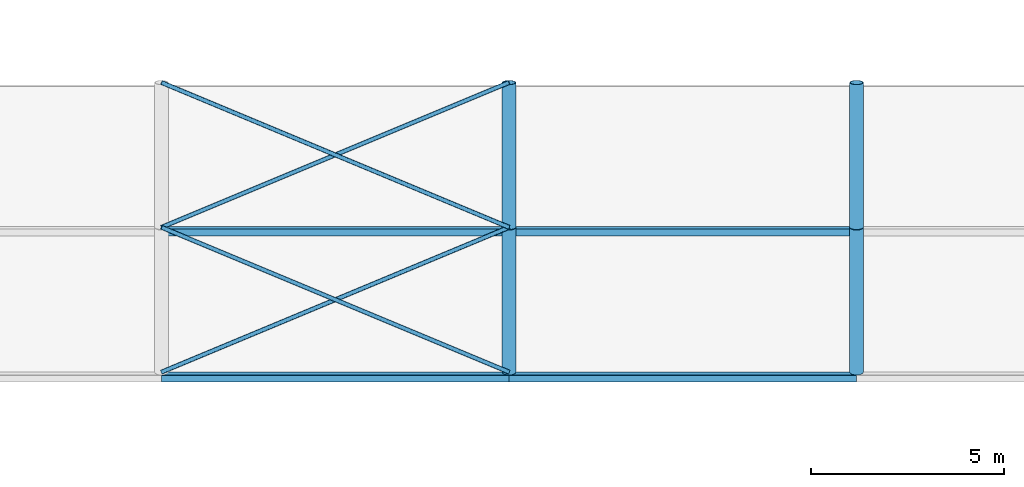
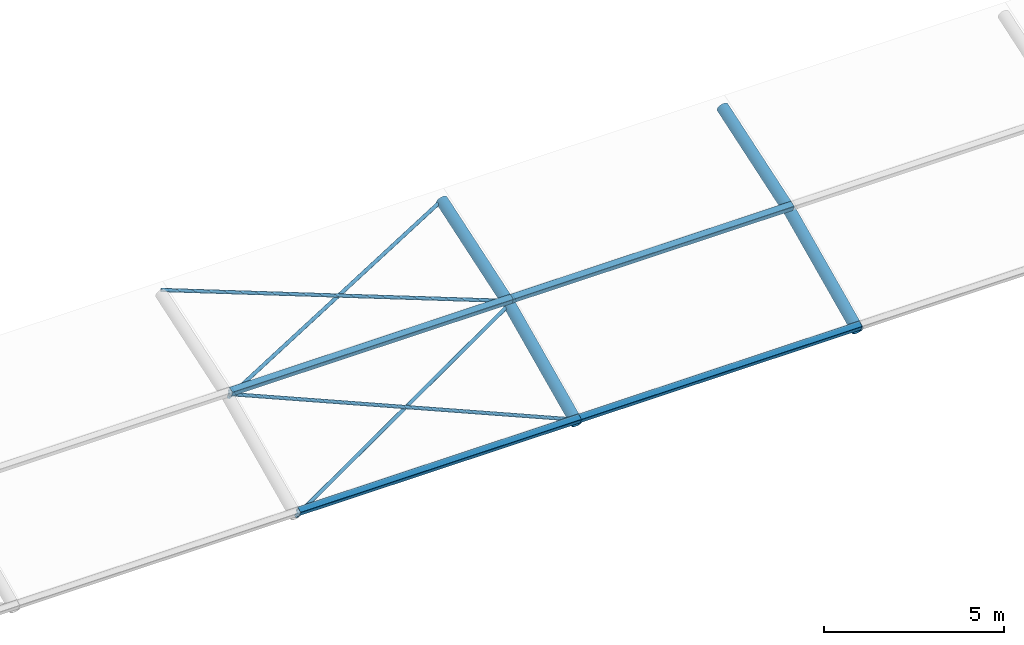
# One storey, part 5 of 54: 12 members.
"""IFC4 building model written with IfcOpenShell, lengths in metres."""

from ifc_helpers import new_model, si_unit, direction, frame, origin, origin_2d, place, context, subcontext, project, spatial, hollow_rectangle, hollow_circle, extrude, material, material_profile, profile_set, type_object, element, save


model = new_model("IFC4")

# Units and contexts
model_context = context("Model", 3, precision=1e-05, world=origin(), true_north=direction((0.0, 1.0)))
body_context = subcontext(model_context, "Body", "Model", "MODEL_VIEW")
ifc_project = project(units=[si_unit("LENGTHUNIT", "METRE"), si_unit("AREAUNIT", "SQUARE_METRE"), si_unit("VOLUMEUNIT", "CUBIC_METRE"), si_unit("PLANEANGLEUNIT", "RADIAN"), si_unit("MASSUNIT", "GRAM", prefix="KILO")], contexts=[model_context])

# Site, building, storey
site_placement = place(None, origin())
site = spatial("IfcSite", under=ifc_project, at=site_placement, CompositionType="ELEMENT")
building_placement = place(site_placement, origin())
building = spatial("IfcBuilding", under=site, at=building_placement, Name="Baradari Gate Terminus", CompositionType="ELEMENT")
storey_placement = place(building_placement, frame((0.0, 0.0, 15.89990234375)))
storey = spatial("IfcBuildingStorey", under=building, at=storey_placement, Name="L03", CompositionType="ELEMENT", Elevation=15.89990234375)

# Members
ifc_material_1 = material(Name="Steel S355", Category="steel")
ifc_material_profile_1 = material_profile(ifc_material_1, hollow_rectangle(XDim=0.199951171875, YDim=0.199951171875, WallThickness=0.008056640625, InnerFilletRadius=0.008056640625, OuterFilletRadius=0.01611328125, at=origin_2d()), Name="SHS 200x200x8")
ifc_profile_set_1 = profile_set([ifc_material_profile_1], Name="Steel S355")
member_type_1 = type_object("IfcMemberType", Name="Shed purlin SHS 200x200x8", PredefinedType="PURLIN", material=ifc_profile_set_1)
for number, where, z_axis, x_axis, name in (
    (1, (117.0, 43.375244140625, 1.17138671875), (1.0, 0.0, 0.0), (0.0, 0.883026855482, 0.469322461106), "TR/L03/B126-PU02"),
    (2, (117.0, 47.151611328125, 2.93359375), (1.0, 0.0, 0.0), (0.0, 0.928965199535, 0.370167067759), "TR/L03/B126-PU03"),
    (3, (126.0, 43.375244140625, 1.17138671875), (1.0, 0.0, 0.0), (0.0, 0.883026855482, 0.469322461106), "TR/L03/B135-PU02"),
    (4, (126.0, 47.151611328125, 2.93359375), (1.0, 0.0, 0.0), (0.0, 0.928965199535, 0.370167067759), "TR/L03/B135-PU03"),
):
    element("IfcMember", number, at=place(storey_placement, frame(where, z_axis=z_axis, x_axis=x_axis)), inside=storey, type_object=member_type_1, Name=name, PredefinedType="PURLIN", context=body_context, shape_type="SweptSolid", body=[
        extrude(hollow_rectangle(XDim=0.199951171875, YDim=0.199951171875, WallThickness=0.008056640625, InnerFilletRadius=0.008056640625, OuterFilletRadius=0.01611328125, at=origin_2d()), origin(), (0.0, 0.0, 1.0), 9.0),
    ])
ifc_material_2 = material(Name="Steel S355", Category="steel")
ifc_material_profile_2 = material_profile(ifc_material_2, hollow_circle(Radius=0.05712890625, WallThickness=0.00634765625, at=origin_2d()), Name="CHS 114.3x6.3")
ifc_profile_set_2 = profile_set([ifc_material_profile_2], Name="Steel S355")
member_type_2 = type_object("IfcMemberType", Name="Shed roof brace CHS 114.3x6.3", PredefinedType="BRACE", material=ifc_profile_set_2)
for number, where, z_axis, x_axis, name in (
    (5, (117.0, 43.5, 0.9365234375), (0.908558037225, 0.378565848844, 0.176664062794), (-0.384615384615, 0.923076923077, 0.0), "TR/L03/B126-RB02A"),
    (6, (126.0, 43.5, 1.05078125), (-0.908558037225, 0.378565848844, 0.176664062794), (-0.384615384615, -0.923076923077, 0.0), "TR/L03/B126-RB02B"),
):
    element("IfcMember", number, at=place(storey_placement, frame(where, z_axis=z_axis, x_axis=x_axis)), inside=storey, type_object=member_type_2, Name=name, PredefinedType="BRACE", context=body_context, shape_type="SweptSolid", body=[
        extrude(hollow_circle(Radius=0.05712890625, WallThickness=0.00634765625, at=origin_2d()), origin(), (0.0, 0.0, 1.0), 9.90576171875),
    ])
for number, where, z_axis, x_axis, name in (
    (7, (117.0, 47.25, 2.6865234375), (0.915583075095, 0.381492947956, 0.127164315985), (-0.384615384615, 0.923076923077, 0.0), "TR/L03/B126-RB03A"),
    (8, (126.0, 47.25, 2.80078125), (-0.915583075095, 0.381492947956, 0.127164315985), (-0.384615384615, -0.923076923077, 0.0), "TR/L03/B126-RB03B"),
):
    element("IfcMember", number, at=place(storey_placement, frame(where, z_axis=z_axis, x_axis=x_axis)), inside=storey, type_object=member_type_2, Name=name, PredefinedType="BRACE", context=body_context, shape_type="SweptSolid", body=[
        extrude(hollow_circle(Radius=0.05712890625, WallThickness=0.00634765625, at=origin_2d()), origin(), (0.0, 0.0, 1.0), 9.829833984375),
    ])
ifc_material_3 = material(Name="Steel S355", Category="steel")
ifc_material_profile_3 = material_profile(ifc_material_3, hollow_circle(Radius=0.177734375, WallThickness=0.01611328125, at=origin_2d()), Name="CHS 355.6x16")
ifc_profile_set_3 = profile_set([ifc_material_profile_3], Name="Steel S355")
member_type_3 = type_object("IfcMemberType", Name="Shed top chord CHS 355.6x16", PredefinedType="CHORD", material=ifc_profile_set_3)
member_1_placement = place(storey_placement, frame((126.0, 43.5, 0.9365234375), z_axis=(0.0, 0.906183139995, 0.422885465331), x_axis=(-1.0, 0.0, 0.0)))
element("IfcMember", 9, at=member_1_placement, inside=storey, type_object=member_type_3, Name="TR/L03/S126-TC02", PredefinedType="CHORD", context=body_context, shape_type="SweptSolid", body=[
    extrude(hollow_circle(Radius=0.177734375, WallThickness=0.01611328125, at=origin_2d()), origin(), (0.0, 0.0, 1.0), 4.13818359375),
])
member_2_placement = place(storey_placement, frame((126.0, 47.25, 2.6865234375), z_axis=(0.0, 0.948683298051, 0.316227766017), x_axis=(-1.0, 0.0, 0.0)))
element("IfcMember", 10, at=member_2_placement, inside=storey, type_object=member_type_3, Name="TR/L03/S126-TC03", PredefinedType="CHORD", context=body_context, shape_type="SweptSolid", body=[
    extrude(hollow_circle(Radius=0.177734375, WallThickness=0.01611328125, at=origin_2d()), origin(), (0.0, 0.0, 1.0), 3.952880859375),
])
member_3_placement = place(storey_placement, frame((135.0, 43.5, 0.9365234375), z_axis=(0.0, 0.906183139995, 0.422885465331), x_axis=(-1.0, 0.0, 0.0)))
element("IfcMember", 11, at=member_3_placement, inside=storey, type_object=member_type_3, Name="TR/L03/S135-TC02", PredefinedType="CHORD", context=body_context, shape_type="SweptSolid", body=[
    extrude(hollow_circle(Radius=0.177734375, WallThickness=0.01611328125, at=origin_2d()), origin(), (0.0, 0.0, 1.0), 4.13818359375),
])
member_4_placement = place(storey_placement, frame((135.0, 47.25, 2.6865234375), z_axis=(0.0, 0.948683298051, 0.316227766017), x_axis=(-1.0, 0.0, 0.0)))
element("IfcMember", 12, at=member_4_placement, inside=storey, type_object=member_type_3, Name="TR/L03/S135-TC03", PredefinedType="CHORD", context=body_context, shape_type="SweptSolid", body=[
    extrude(hollow_circle(Radius=0.177734375, WallThickness=0.01611328125, at=origin_2d()), origin(), (0.0, 0.0, 1.0), 3.952880859375),
])

save(model, "model.ifc")
